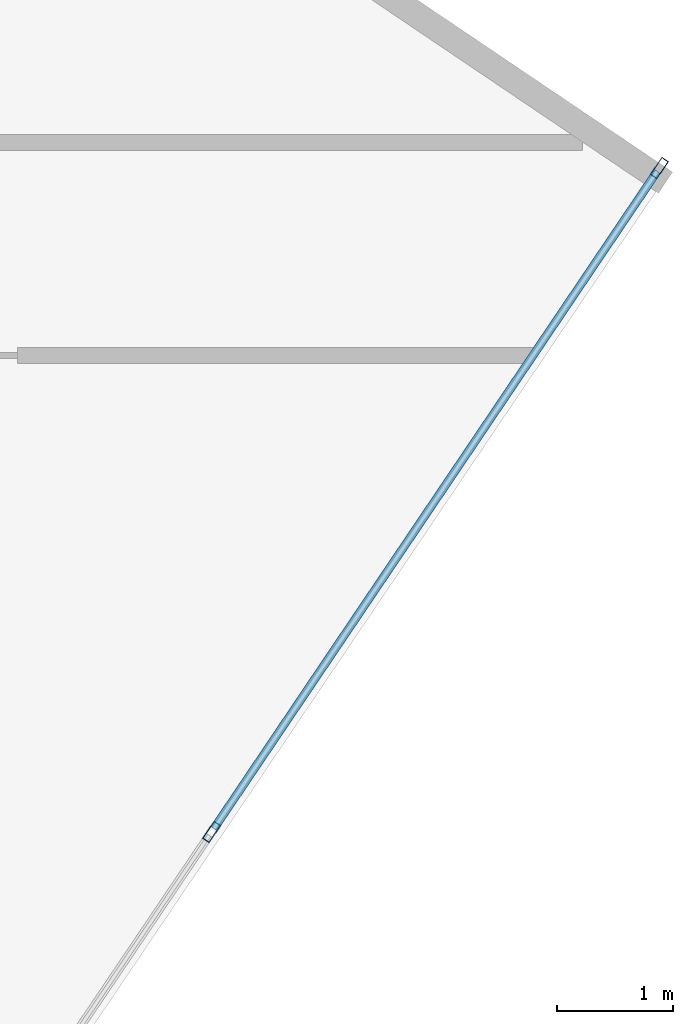
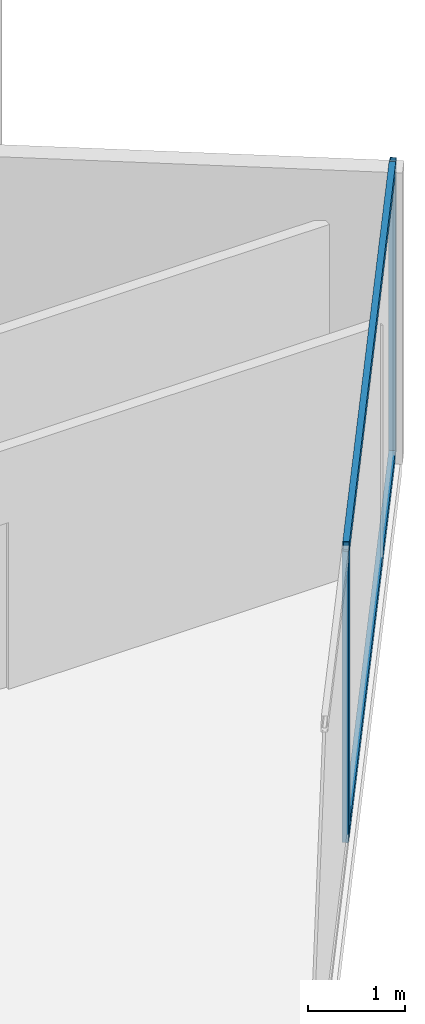
# One storey, part 12 of 27: 4 members, 1 element without a shape of its own.
"""IFC4 building model written with IfcOpenShell, lengths in metres."""

from ifc_helpers import new_model, si_unit, direction, frame, origin, origin_2d, place, context, subcontext, project, spatial, hollow_rectangle, extrude, source, transform, mapped, material, material_profile, profile_set, type_object, type_shapes, element, aggregate, save


model = new_model("IFC4")

# Units and contexts
model_context = context("Model", 3, precision=1e-05, world=origin(), true_north=direction((0.0, 1.0)))
body_context = subcontext(model_context, "Body", "Model", "MODEL_VIEW")
ifc_project = project(units=[si_unit("LENGTHUNIT", "METRE"), si_unit("AREAUNIT", "SQUARE_METRE"), si_unit("VOLUMEUNIT", "CUBIC_METRE"), si_unit("PLANEANGLEUNIT", "RADIAN"), si_unit("MASSUNIT", "GRAM", prefix="KILO")], contexts=[model_context])

# Site, building, storey
site_placement = place(None, origin())
site = spatial("IfcSite", under=ifc_project, at=site_placement, CompositionType="ELEMENT")
building_placement = place(site_placement, origin())
building = spatial("IfcBuilding", under=site, at=building_placement, Name="Krantzveldt Concourse Tower", CompositionType="ELEMENT")
storey_placement = place(building_placement, frame((0.0, 0.0, 185.699951171875)))
storey = spatial("IfcBuildingStorey", under=building, at=storey_placement, Name="L45", CompositionType="ELEMENT", Elevation=185.699951171875)

# Curtain wall, members
ifc_material = material(Name="Anodised aluminium 6063-T6", Category="aluminium")
curtain_wall_type = type_object("IfcCurtainWallType", Name="CW3", PredefinedType="USERDEFINED", material=ifc_material)
curtain_wall_placement = place(storey_placement, origin())
curtain_wall = element("IfcCurtainWall", 1, at=curtain_wall_placement, inside=storey, type_object=curtain_wall_type, Name="CW-L45-F07", ObjectType="UNITISED CURTAIN WALL", PredefinedType="USERDEFINED")
ifc_material_profile_1 = material_profile(ifc_material, hollow_rectangle(XDim=0.070068359375, YDim=0.179931640625, WallThickness=0.0048828125, at=origin_2d()), Name="Anodised aluminium 6063-T6", Category="aluminium")
ifc_profile_set_1 = profile_set([ifc_material_profile_1], Name="Anodised aluminium 6063-T6 - ALU-MULL 180x70x5")
member_type_1 = type_object("IfcMemberType", Name="CW-MUL-180", PredefinedType="MULLION", material=ifc_profile_set_1)
shared_shape_1 = source(origin(), body_context, "Body", "SweptSolid", [
    extrude(hollow_rectangle(XDim=0.070068359375, YDim=0.179931640625, WallThickness=0.0048828125, at=origin_2d()), origin(), (0.0, 0.0, 1.0), 3.670166015625),
])
type_shapes(member_type_1, [shared_shape_1])
member_1_placement = place(storey_placement, frame((59.919189453125, 23.1591796875, 0.0), z_axis=(0.0, 0.0, 1.0), x_axis=(-0.829037635301, 0.559192810447, 0.0)))
member_1 = element("IfcMember", 2, at=member_1_placement, type_object=member_type_1, Name="CW-Z34 mullion 5", PredefinedType="MULLION", context=body_context, shape_type="MappedRepresentation", body=[
    mapped(shared_shape_1, transform((0.0, 0.0, 0.0), x_axis=(1.0, 0.0, 0.0), y_axis=(0.0, 1.0, 0.0), z_axis=(0.0, 0.0, 1.0), scale=1.0)),
])
member_2_placement = place(storey_placement, frame((63.791748046875, 28.900146484375, 0.0), z_axis=(0.0, 0.0, 1.0), x_axis=(-0.829037635301, 0.559192810447, 0.0)))
member_2 = element("IfcMember", 3, at=member_2_placement, type_object=member_type_1, Name="CW-Z34 mullion 6", PredefinedType="MULLION", context=body_context, shape_type="MappedRepresentation", body=[
    mapped(shared_shape_1, transform((0.0, 0.0, 0.0), x_axis=(1.0, 0.0, 0.0), y_axis=(0.0, 1.0, 0.0), z_axis=(0.0, 0.0, 1.0), scale=1.0)),
])
ifc_material_profile_2 = material_profile(ifc_material, hollow_rectangle(XDim=0.070068359375, YDim=0.139892578125, WallThickness=0.0048828125, at=origin_2d()), Name="Anodised aluminium 6063-T6", Category="aluminium")
ifc_profile_set_2 = profile_set([ifc_material_profile_2], Name="Anodised aluminium 6063-T6 - ALU-TRAN 140x70x5")
member_type_2 = type_object("IfcMemberType", Name="CW-TRN-150", PredefinedType="USERDEFINED", material=ifc_profile_set_2)
shared_shape_2 = source(origin(), body_context, "Body", "SweptSolid", [
    extrude(hollow_rectangle(XDim=0.070068359375, YDim=0.139892578125, WallThickness=0.0048828125, at=origin_2d()), origin(), (0.0, 0.0, 1.0), 6.85498046875),
])
type_shapes(member_type_2, [shared_shape_2])
member_3_placement = place(storey_placement, frame((59.93896484375, 23.188232421875, 0.03515625), z_axis=(0.559187781281, 0.829041027493, 0.0), x_axis=(-0.829041027493, 0.559187781281, 0.0)))
member_3 = element("IfcMember", 4, at=member_3_placement, type_object=member_type_2, Name="CW-Z34 transom 5.1", ObjectType="TRANSOM", PredefinedType="USERDEFINED", context=body_context, shape_type="MappedRepresentation", body=[
    mapped(shared_shape_2, transform((0.0, 0.0, 0.0), x_axis=(1.0, 0.0, 0.0), y_axis=(0.0, 1.0, 0.0), z_axis=(0.0, 0.0, 1.0), scale=1.0)),
])
member_4_placement = place(storey_placement, frame((59.93896484375, 23.188232421875, 3.635009765625), z_axis=(0.559187781281, 0.829041027493, 0.0), x_axis=(-0.829041027493, 0.559187781281, 0.0)))
member_4 = element("IfcMember", 5, at=member_4_placement, type_object=member_type_2, Name="CW-Z34 transom 5.2", ObjectType="TRANSOM", PredefinedType="USERDEFINED", context=body_context, shape_type="MappedRepresentation", body=[
    mapped(shared_shape_2, transform((0.0, 0.0, 0.0), x_axis=(1.0, 0.0, 0.0), y_axis=(0.0, 1.0, 0.0), z_axis=(0.0, 0.0, 1.0), scale=1.0)),
])
aggregate(curtain_wall, [member_1, member_2, member_3, member_4])

save(model, "model.ifc")
